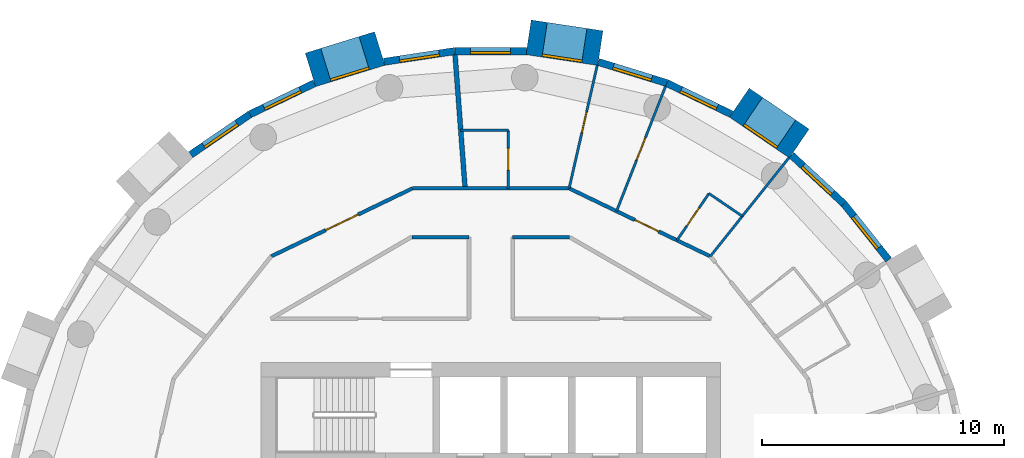
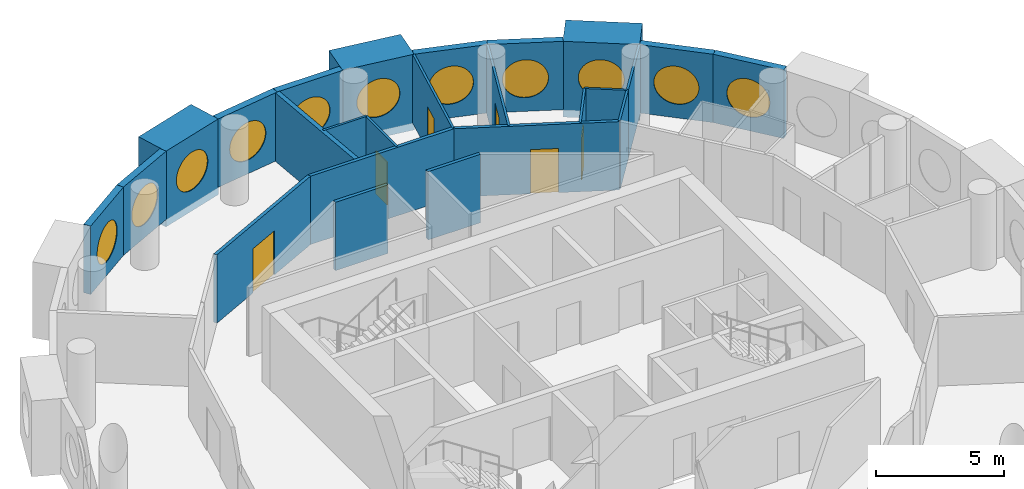
# One storey, part 11 of 13: 25 walls, 11 windows, 6 doors, 17 openings.
"""IFC4 building model written with IfcOpenShell, lengths in metres."""

from ifc_helpers import new_model, si_unit, direction, frame, frame_2d, origin, origin_2d, place, context, subcontext, project, spatial, rectangle, circle, extrude, material, layer, layer_set, type_object, element, fill, save


model = new_model("IFC4")

# Units and contexts
model_context = context("Model", 3, precision=1e-05, world=origin(), true_north=direction((0.0, 1.0)))
body_context = subcontext(model_context, "Body", "Model", "MODEL_VIEW")
ifc_project = project(units=[si_unit("LENGTHUNIT", "METRE"), si_unit("AREAUNIT", "SQUARE_METRE"), si_unit("VOLUMEUNIT", "CUBIC_METRE"), si_unit("PLANEANGLEUNIT", "RADIAN"), si_unit("MASSUNIT", "GRAM", prefix="KILO")], contexts=[model_context])

# Site, building, storey
site_placement = place(None, origin())
site = spatial("IfcSite", under=ifc_project, at=site_placement, CompositionType="ELEMENT")
building_placement = place(site_placement, origin())
building = spatial("IfcBuilding", under=site, at=building_placement, Name="Tracery Tower", CompositionType="ELEMENT")
storey_placement = place(building_placement, frame((0.0, 0.0, 259.800048828125)))
storey = spatial("IfcBuildingStorey", under=building, at=storey_placement, Name="L67", CompositionType="ELEMENT", Elevation=259.800048828125)

# Wall, opening, window
ifc_material_1 = material(Name="Precast concrete C50/60", Category="concrete")
ifc_layer_1 = layer(ifc_material_1, 1.449951171875)
ifc_layer_set_1 = layer_set([ifc_layer_1], Name="Deep-set bay unit 3000 x 3600, slab edge 350")
wall_type_1 = type_object("IfcWallType", Name="Deep-set bay unit 3000 x 3600, slab edge 350", PredefinedType="ELEMENTEDWALL", material=ifc_layer_set_1)
wall_1_placement = place(storey_placement, frame((12.754150390625, 16.044189453125, -0.35009765625), z_axis=(0.0, 0.0, 1.0), x_axis=(-0.826246281157, 0.563309047392, 0.0)))
wall_1 = element("IfcWall", 1, at=wall_1_placement, inside=storey, type_object=wall_type_1, Name="Deep-set bay unit 7 at L67", PredefinedType="ELEMENTEDWALL", context=body_context, shape_type="SweptSolid", body=[
    extrude(rectangle(XDim=3.0, YDim=1.449951171875, at=frame_2d((1.5, 0.0))), origin(), (0.0, 0.0, 1.0), 3.60009765625),
])
opening_1_placement = place(wall_1_placement, frame((1.5, 0.0, 1.89990234375)))
opening_1 = element("IfcOpeningElement", 2, at=opening_1_placement, cuts=wall_1, Name="Opening WN1", PredefinedType="OPENING", context=body_context, shape_type="SweptSolid", body=[
    extrude(circle(Radius=0.9000244140625, at=origin_2d()), frame((0.0, 0.73486328125, 0.0), z_axis=(0.0, -1.0, 0.0), x_axis=(1.0, 0.0, 0.0)), (0.0, 0.0, 1.0), 1.469970703125),
])
ifc_material_2 = material(Name="Aluminium frame with tinted double glazing", Category="aluminium")
window_type = type_object("IfcWindowType", Name="Round window 1800", PartitioningType="SINGLE_PANEL", PredefinedType="WINDOW", material=ifc_material_2)
window_1_placement = place(opening_1_placement, origin())
window_1 = element("IfcWindow", 3, at=window_1_placement, inside=storey, type_object=window_type, Name="Round window 7 at L67", OverallHeight=1.800048828125, OverallWidth=1.800048828125, PartitioningType="SINGLE_PANEL", PredefinedType="WINDOW", context=body_context, shape_type="SweptSolid", body=[
    extrude(circle(Radius=0.9000244140625, at=origin_2d()), frame((0.0, 0.69482421875, 0.0), z_axis=(0.0, -1.0, 0.0), x_axis=(1.0, 0.0, 0.0)), (0.0, 0.0, 1.0), 0.10009765625),
])
fill(opening_1, window_1)

wall_2_placement = place(storey_placement, frame((4.52978515625, 19.9892578125, -0.35009765625), z_axis=(0.0, 0.0, 1.0), x_axis=(-0.988836445254, 0.149004981587, 0.0)))
wall_2 = element("IfcWall", 4, at=wall_2_placement, inside=storey, type_object=wall_type_1, Name="Deep-set bay unit 10 at L67", PredefinedType="ELEMENTEDWALL", context=body_context, shape_type="SweptSolid", body=[
    extrude(rectangle(XDim=3.0, YDim=1.449951171875, at=frame_2d((1.5, 0.0))), origin(), (0.0, 0.0, 1.0), 3.60009765625),
])
opening_2_placement = place(wall_2_placement, frame((1.5, 0.0, 1.89990234375)))
opening_2 = element("IfcOpeningElement", 5, at=opening_2_placement, cuts=wall_2, Name="Opening WN1", PredefinedType="OPENING", context=body_context, shape_type="SweptSolid", body=[
    extrude(circle(Radius=0.9000244140625, at=origin_2d()), frame((0.0, 0.73486328125, 0.0), z_axis=(0.0, -1.0, 0.0), x_axis=(1.0, 0.0, 0.0)), (0.0, 0.0, 1.0), 1.469970703125),
])
window_2_placement = place(opening_2_placement, origin())
window_2 = element("IfcWindow", 6, at=window_2_placement, inside=storey, type_object=window_type, Name="Round window 10 at L67", OverallHeight=1.800048828125, OverallWidth=1.800048828125, PartitioningType="SINGLE_PANEL", PredefinedType="WINDOW", context=body_context, shape_type="SweptSolid", body=[
    extrude(circle(Radius=0.9000244140625, at=origin_2d()), frame((0.0, 0.69482421875, 0.0), z_axis=(0.0, -1.0, 0.0), x_axis=(1.0, 0.0, 0.0)), (0.0, 0.0, 1.0), 0.10009765625),
])
fill(opening_2, window_2)

wall_3_placement = place(storey_placement, frame((-4.591796875, 19.97509765625, -0.35009765625), z_axis=(0.0, 0.0, 1.0), x_axis=(-0.955571139978, -0.294760574774, 0.0)))
wall_3 = element("IfcWall", 7, at=wall_3_placement, inside=storey, type_object=wall_type_1, Name="Deep-set bay unit 13 at L67", PredefinedType="ELEMENTEDWALL", context=body_context, shape_type="SweptSolid", body=[
    extrude(rectangle(XDim=3.0, YDim=1.449951171875, at=frame_2d((1.5, 0.0))), origin(), (0.0, 0.0, 1.0), 3.60009765625),
])
opening_3_placement = place(wall_3_placement, frame((1.5, 0.0, 1.89990234375)))
opening_3 = element("IfcOpeningElement", 8, at=opening_3_placement, cuts=wall_3, Name="Opening WN1", PredefinedType="OPENING", context=body_context, shape_type="SweptSolid", body=[
    extrude(circle(Radius=0.9000244140625, at=origin_2d()), frame((0.0, 0.73486328125, 0.0), z_axis=(0.0, -1.0, 0.0), x_axis=(1.0, 0.0, 0.0)), (0.0, 0.0, 1.0), 1.469970703125),
])
window_3_placement = place(opening_3_placement, origin())
window_3 = element("IfcWindow", 9, at=window_3_placement, inside=storey, type_object=window_type, Name="Round window 13 at L67", OverallHeight=1.800048828125, OverallWidth=1.800048828125, PartitioningType="SINGLE_PANEL", PredefinedType="WINDOW", context=body_context, shape_type="SweptSolid", body=[
    extrude(circle(Radius=0.9000244140625, at=origin_2d()), frame((0.0, 0.69482421875, 0.0), z_axis=(0.0, -1.0, 0.0), x_axis=(1.0, 0.0, 0.0)), (0.0, 0.0, 1.0), 0.10009765625),
])
fill(opening_3, window_3)

ifc_material_3 = material(Name="Precast concrete C50/60", Category="concrete")
ifc_layer_2 = layer(ifc_material_3, 0.300048828125)
ifc_layer_set_2 = layer_set([ifc_layer_2], Name="Facade panel 3000 x 3250")
wall_type_2 = type_object("IfcWallType", Name="Facade panel 3000 x 3250", PredefinedType="SOLIDWALL", material=ifc_layer_set_2)
wall_4_placement = place(storey_placement, frame((16.45068359375, 11.234375, 0.0), z_axis=(0.0, 0.0, 1.0), x_axis=(-0.623498236992, 0.781824755599, 0.0)))
wall_4 = element("IfcWall", 10, at=wall_4_placement, inside=storey, type_object=wall_type_2, Name="Facade panel 5 at L67", PredefinedType="SOLIDWALL", context=body_context, shape_type="SweptSolid", body=[
    extrude(rectangle(XDim=2.962158203125, YDim=0.300048828125, at=frame_2d((1.48095703125, 0.0))), origin(), (0.0, 0.0, 1.0), 3.25),
])
opening_4_placement = place(wall_4_placement, frame((1.48095703125, 0.0, 1.5498046875)))
opening_4 = element("IfcOpeningElement", 11, at=opening_4_placement, cuts=wall_4, Name="Opening WN1", PredefinedType="OPENING", context=body_context, shape_type="SweptSolid", body=[
    extrude(circle(Radius=0.9000244140625, at=origin_2d()), frame((0.0, 0.159912109375, 0.0), z_axis=(0.0, -1.0, 0.0), x_axis=(1.0, 0.0, 0.0)), (0.0, 0.0, 1.0), 0.320068359375),
])
window_4_placement = place(opening_4_placement, origin())
window_4 = element("IfcWindow", 12, at=window_4_placement, inside=storey, type_object=window_type, Name="Round window 5 at L67", OverallHeight=1.800048828125, OverallWidth=1.800048828125, PartitioningType="SINGLE_PANEL", PredefinedType="WINDOW", context=body_context, shape_type="SweptSolid", body=[
    extrude(circle(Radius=0.9000244140625, at=origin_2d()), frame((0.0, 0.1201171875, 0.0), z_axis=(0.0, -1.0, 0.0), x_axis=(1.0, 0.0, 0.0)), (0.0, 0.0, 1.0), 0.10009765625),
])
fill(opening_4, window_4)

wall_5_placement = place(storey_placement, frame((14.603759765625, 13.55029296875, 0.0), z_axis=(0.0, 0.0, 1.0), x_axis=(-0.733066412643, 0.680157066165, 0.0)))
wall_5 = element("IfcWall", 13, at=wall_5_placement, inside=storey, type_object=wall_type_2, Name="Facade panel 6 at L67", PredefinedType="SOLIDWALL", context=body_context, shape_type="SweptSolid", body=[
    extrude(rectangle(XDim=2.96240234375, YDim=0.300048828125, at=frame_2d((1.481201171875, 0.0))), origin(), (0.0, 0.0, 1.0), 3.25),
])
opening_5_placement = place(wall_5_placement, frame((1.48095703125, 0.0, 1.5498046875)))
opening_5 = element("IfcOpeningElement", 14, at=opening_5_placement, cuts=wall_5, Name="Opening WN1", PredefinedType="OPENING", context=body_context, shape_type="SweptSolid", body=[
    extrude(circle(Radius=0.9000244140625, at=origin_2d()), frame((0.0, 0.159912109375, 0.0), z_axis=(0.0, -1.0, 0.0), x_axis=(1.0, 0.0, 0.0)), (0.0, 0.0, 1.0), 0.320068359375),
])
window_5_placement = place(opening_5_placement, origin())
window_5 = element("IfcWindow", 15, at=window_5_placement, inside=storey, type_object=window_type, Name="Round window 6 at L67", OverallHeight=1.800048828125, OverallWidth=1.800048828125, PartitioningType="SINGLE_PANEL", PredefinedType="WINDOW", context=body_context, shape_type="SweptSolid", body=[
    extrude(circle(Radius=0.9000244140625, at=origin_2d()), frame((0.0, 0.1201171875, 0.0), z_axis=(0.0, -1.0, 0.0), x_axis=(1.0, 0.0, 0.0)), (0.0, 0.0, 1.0), 0.10009765625),
])
fill(opening_5, window_5)

wall_6_placement = place(storey_placement, frame((9.947021484375, 17.25927734375, 0.0), z_axis=(0.0, 0.0, 1.0), x_axis=(-0.900939615635, 0.433944476838, 0.0)))
wall_6 = element("IfcWall", 16, at=wall_6_placement, inside=storey, type_object=wall_type_2, Name="Facade panel 8 at L67", PredefinedType="SOLIDWALL", context=body_context, shape_type="SweptSolid", body=[
    extrude(rectangle(XDim=2.962158203125, YDim=0.300048828125, at=frame_2d((1.48095703125, 0.0))), origin(), (0.0, 0.0, 1.0), 3.25),
])
opening_6_placement = place(wall_6_placement, frame((1.48095703125, 0.0, 1.5498046875)))
opening_6 = element("IfcOpeningElement", 17, at=opening_6_placement, cuts=wall_6, Name="Opening WN1", PredefinedType="OPENING", context=body_context, shape_type="SweptSolid", body=[
    extrude(circle(Radius=0.9000244140625, at=origin_2d()), frame((0.0, 0.159912109375, 0.0), z_axis=(0.0, -1.0, 0.0), x_axis=(1.0, 0.0, 0.0)), (0.0, 0.0, 1.0), 0.320068359375),
])
window_6_placement = place(opening_6_placement, origin())
window_6 = element("IfcWindow", 18, at=window_6_placement, inside=storey, type_object=window_type, Name="Round window 8 at L67", OverallHeight=1.800048828125, OverallWidth=1.800048828125, PartitioningType="SINGLE_PANEL", PredefinedType="WINDOW", context=body_context, shape_type="SweptSolid", body=[
    extrude(circle(Radius=0.9000244140625, at=origin_2d()), frame((0.0, 0.1201171875, 0.0), z_axis=(0.0, -1.0, 0.0), x_axis=(1.0, 0.0, 0.0)), (0.0, 0.0, 1.0), 0.10009765625),
])
fill(opening_6, window_6)

wall_7_placement = place(storey_placement, frame((7.2783203125, 18.544677734375, 0.0), z_axis=(0.0, 0.0, 1.0), x_axis=(-0.95558635705, 0.294711238707, 0.0)))
wall_7 = element("IfcWall", 19, at=wall_7_placement, inside=storey, type_object=wall_type_2, Name="Facade panel 9 at L67", PredefinedType="SOLIDWALL", context=body_context, shape_type="SweptSolid", body=[
    extrude(rectangle(XDim=2.96240234375, YDim=0.300048828125, at=frame_2d((1.481201171875, 0.0))), origin(), (0.0, 0.0, 1.0), 3.25),
])
opening_7_placement = place(wall_7_placement, frame((1.48095703125, 0.0, 1.5498046875)))
opening_7 = element("IfcOpeningElement", 20, at=opening_7_placement, cuts=wall_7, Name="Opening WN1", PredefinedType="OPENING", context=body_context, shape_type="SweptSolid", body=[
    extrude(circle(Radius=0.9000244140625, at=origin_2d()), frame((0.0, 0.159912109375, 0.0), z_axis=(0.0, -1.0, 0.0), x_axis=(1.0, 0.0, 0.0)), (0.0, 0.0, 1.0), 0.320068359375),
])
window_7_placement = place(opening_7_placement, origin())
window_7 = element("IfcWindow", 21, at=window_7_placement, inside=storey, type_object=window_type, Name="Round window 9 at L67", OverallHeight=1.800048828125, OverallWidth=1.800048828125, PartitioningType="SINGLE_PANEL", PredefinedType="WINDOW", context=body_context, shape_type="SweptSolid", body=[
    extrude(circle(Radius=0.9000244140625, at=origin_2d()), frame((0.0, 0.1201171875, 0.0), z_axis=(0.0, -1.0, 0.0), x_axis=(1.0, 0.0, 0.0)), (0.0, 0.0, 1.0), 0.10009765625),
])
fill(opening_7, window_7)

wall_8_placement = place(storey_placement, frame((1.473388671875, 19.865966796875, 0.0), z_axis=(0.0, 0.0, 1.0), x_axis=(-1.0, 0.0, 0.0)))
wall_8 = element("IfcWall", 22, at=wall_8_placement, inside=storey, type_object=wall_type_2, Name="Facade panel 11 at L67", PredefinedType="SOLIDWALL", context=body_context, shape_type="SweptSolid", body=[
    extrude(rectangle(XDim=2.962158203125, YDim=0.300048828125, at=frame_2d((1.48095703125, 0.0))), origin(), (0.0, 0.0, 1.0), 3.25),
])
opening_8_placement = place(wall_8_placement, frame((1.48095703125, 0.0, 1.5498046875)))
opening_8 = element("IfcOpeningElement", 23, at=opening_8_placement, cuts=wall_8, Name="Opening WN1", PredefinedType="OPENING", context=body_context, shape_type="SweptSolid", body=[
    extrude(circle(Radius=0.9000244140625, at=origin_2d()), frame((0.0, 0.159912109375, 0.0), z_axis=(0.0, -1.0, 0.0), x_axis=(1.0, 0.0, 0.0)), (0.0, 0.0, 1.0), 0.320068359375),
])
window_8_placement = place(opening_8_placement, origin())
window_8 = element("IfcWindow", 24, at=window_8_placement, inside=storey, type_object=window_type, Name="Round window 11 at L67", OverallHeight=1.800048828125, OverallWidth=1.800048828125, PartitioningType="SINGLE_PANEL", PredefinedType="WINDOW", context=body_context, shape_type="SweptSolid", body=[
    extrude(circle(Radius=0.9000244140625, at=origin_2d()), frame((0.0, 0.1201171875, 0.0), z_axis=(0.0, -1.0, 0.0), x_axis=(1.0, 0.0, 0.0)), (0.0, 0.0, 1.0), 0.10009765625),
])
fill(opening_8, window_8)

wall_9_placement = place(storey_placement, frame((-1.48876953125, 19.865966796875, 0.0), z_axis=(0.0, 0.0, 1.0), x_axis=(-0.988835775663, -0.149009425104, 0.0)))
wall_9 = element("IfcWall", 25, at=wall_9_placement, inside=storey, type_object=wall_type_2, Name="Facade panel 12 at L67", PredefinedType="SOLIDWALL", context=body_context, shape_type="SweptSolid", body=[
    extrude(rectangle(XDim=2.962158203125, YDim=0.300048828125, at=frame_2d((1.48095703125, 0.0))), origin(), (0.0, 0.0, 1.0), 3.25),
])
opening_9_placement = place(wall_9_placement, frame((1.48095703125, 0.0, 1.5498046875)))
opening_9 = element("IfcOpeningElement", 26, at=opening_9_placement, cuts=wall_9, Name="Opening WN1", PredefinedType="OPENING", context=body_context, shape_type="SweptSolid", body=[
    extrude(circle(Radius=0.9000244140625, at=origin_2d()), frame((0.0, 0.159912109375, 0.0), z_axis=(0.0, -1.0, 0.0), x_axis=(1.0, 0.0, 0.0)), (0.0, 0.0, 1.0), 0.320068359375),
])
window_9_placement = place(opening_9_placement, origin())
window_9 = element("IfcWindow", 27, at=window_9_placement, inside=storey, type_object=window_type, Name="Round window 12 at L67", OverallHeight=1.800048828125, OverallWidth=1.800048828125, PartitioningType="SINGLE_PANEL", PredefinedType="WINDOW", context=body_context, shape_type="SweptSolid", body=[
    extrude(circle(Radius=0.9000244140625, at=origin_2d()), frame((0.0, 0.1201171875, 0.0), z_axis=(0.0, -1.0, 0.0), x_axis=(1.0, 0.0, 0.0)), (0.0, 0.0, 1.0), 0.10009765625),
])
fill(opening_9, window_9)

wall_10_placement = place(storey_placement, frame((-7.2919921875, 18.5380859375, 0.0), z_axis=(0.0, 0.0, 1.0), x_axis=(-0.90095513435, -0.433912255978, 0.0)))
wall_10 = element("IfcWall", 28, at=wall_10_placement, inside=storey, type_object=wall_type_2, Name="Facade panel 14 at L67", PredefinedType="SOLIDWALL", context=body_context, shape_type="SweptSolid", body=[
    extrude(rectangle(XDim=2.96240234375, YDim=0.300048828125, at=frame_2d((1.481201171875, 0.0))), origin(), (0.0, 0.0, 1.0), 3.25),
])
opening_10_placement = place(wall_10_placement, frame((1.48095703125, 0.0, 1.5498046875)))
opening_10 = element("IfcOpeningElement", 29, at=opening_10_placement, cuts=wall_10, Name="Opening WN1", PredefinedType="OPENING", context=body_context, shape_type="SweptSolid", body=[
    extrude(circle(Radius=0.9000244140625, at=origin_2d()), frame((0.0, 0.159912109375, 0.0), z_axis=(0.0, -1.0, 0.0), x_axis=(1.0, 0.0, 0.0)), (0.0, 0.0, 1.0), 0.320068359375),
])
window_10_placement = place(opening_10_placement, origin())
window_10 = element("IfcWindow", 30, at=window_10_placement, inside=storey, type_object=window_type, Name="Round window 14 at L67", OverallHeight=1.800048828125, OverallWidth=1.800048828125, PartitioningType="SINGLE_PANEL", PredefinedType="WINDOW", context=body_context, shape_type="SweptSolid", body=[
    extrude(circle(Radius=0.9000244140625, at=origin_2d()), frame((0.0, 0.1201171875, 0.0), z_axis=(0.0, -1.0, 0.0), x_axis=(1.0, 0.0, 0.0)), (0.0, 0.0, 1.0), 0.10009765625),
])
fill(opening_10, window_10)

wall_11_placement = place(storey_placement, frame((-9.9609375, 17.252685546875, 0.0), z_axis=(0.0, 0.0, 1.0), x_axis=(-0.826236061068, -0.563324037646, 0.0)))
wall_11 = element("IfcWall", 31, at=wall_11_placement, inside=storey, type_object=wall_type_2, Name="Facade panel 15 at L67", PredefinedType="SOLIDWALL", context=body_context, shape_type="SweptSolid", body=[
    extrude(rectangle(XDim=2.962158203125, YDim=0.300048828125, at=frame_2d((1.48095703125, 0.0))), origin(), (0.0, 0.0, 1.0), 3.25),
])
opening_11_placement = place(wall_11_placement, frame((1.48095703125, 0.0, 1.5498046875)))
opening_11 = element("IfcOpeningElement", 32, at=opening_11_placement, cuts=wall_11, Name="Opening WN1", PredefinedType="OPENING", context=body_context, shape_type="SweptSolid", body=[
    extrude(circle(Radius=0.9000244140625, at=origin_2d()), frame((0.0, 0.159912109375, 0.0), z_axis=(0.0, -1.0, 0.0), x_axis=(1.0, 0.0, 0.0)), (0.0, 0.0, 1.0), 0.320068359375),
])
window_11_placement = place(opening_11_placement, origin())
window_11 = element("IfcWindow", 33, at=window_11_placement, inside=storey, type_object=window_type, Name="Round window 15 at L67", OverallHeight=1.800048828125, OverallWidth=1.800048828125, PartitioningType="SINGLE_PANEL", PredefinedType="WINDOW", context=body_context, shape_type="SweptSolid", body=[
    extrude(circle(Radius=0.9000244140625, at=origin_2d()), frame((0.0, 0.1201171875, 0.0), z_axis=(0.0, -1.0, 0.0), x_axis=(1.0, 0.0, 0.0)), (0.0, 0.0, 1.0), 0.10009765625),
])
fill(opening_11, window_11)

# Wall, opening, door
ifc_material_4 = material(Name="Plasterboard on steel studs", Category="steel")
ifc_layer_3 = layer(ifc_material_4, 0.10009765625)
ifc_layer_set_3 = layer_set([ifc_layer_3], Name="Partition 100 stud")
wall_type_3 = type_object("IfcWallType", Name="Partition 100 stud", PredefinedType="PARTITIONING", material=ifc_layer_set_3)
wall_12_placement = place(storey_placement, frame((5.198974609375, 13.248046875, 0.0), z_axis=(0.0, 0.0, 1.0), x_axis=(0.365334662456, 0.930876245485, 0.0)))
wall_12 = element("IfcWall", 34, at=wall_12_placement, inside=storey, type_object=wall_type_3, Name="Stud partition RC3-057", PredefinedType="PARTITIONING", context=body_context, shape_type="SweptSolid", body=[
    extrude(rectangle(XDim=5.5400390625, YDim=0.10009765625, at=frame_2d((2.77001953125, 0.0))), origin(), (0.0, 0.0, 1.0), 3.25),
])
opening_12_placement = place(wall_12_placement, frame((2.27001953125, 0.0, 0.0)))
opening_12 = element("IfcOpeningElement", 35, at=opening_12_placement, cuts=wall_12, Name="Opening RC3-10", PredefinedType="OPENING", context=body_context, shape_type="SweptSolid", body=[
    extrude(rectangle(XDim=1.0, YDim=2.0400390625, at=frame_2d((0.5, 1.02001953125))), frame((0.0, 0.050048828125, 0.0), z_axis=(0.0, -1.0, 0.0), x_axis=(1.0, 0.0, 0.0)), (0.0, 0.0, 1.0), 0.10009765625),
])
ifc_material_5 = material(Name="Timber door leaf", Category="wood")
door_type_1 = type_object("IfcDoorType", Name="Door communal room 1000", OperationType="NOTDEFINED", PredefinedType="DOOR", material=ifc_material_5)
door_1_placement = place(opening_12_placement, origin())
door_1 = element("IfcDoor", 36, at=door_1_placement, inside=storey, type_object=door_type_1, Name="Communal room door RC3-10", OperationType="SINGLE_SWING_RIGHT", OverallHeight=2.0400390625, OverallWidth=1.0, PredefinedType="DOOR", context=body_context, shape_type="SweptSolid", body=[
    extrude(rectangle(XDim=1.0, YDim=2.0400390625, at=frame_2d((0.5, 1.02001953125))), frame((0.0, 0.02490234375, 0.0), z_axis=(0.0, -1.0, 0.0), x_axis=(1.0, 0.0, 0.0)), (0.0, 0.0, 1.0), 0.050048828125),
])
fill(opening_12, door_1)

# Wall
wall_13_placement = place(storey_placement, frame((10.39892578125, 13.0400390625, 0.0), z_axis=(0.0, 0.0, 1.0), x_axis=(0.62343302941, 0.781876753613, 0.0)))
element("IfcWall", 37, at=wall_13_placement, inside=storey, type_object=wall_type_3, Name="Stud partition RC3-060", PredefinedType="PARTITIONING", context=body_context, shape_type="SweptSolid", body=[
    extrude(rectangle(XDim=3.092529296875, YDim=0.10009765625, at=frame_2d((1.54638671875, 0.0))), origin(), (0.0, 0.0, 1.0), 3.25),
])

# Wall, opening, door
wall_14_placement = place(storey_placement, frame((3.239013671875, 14.19189453125, 0.0), z_axis=(0.0, 0.0, 1.0), x_axis=(0.222612505682, 0.974907007008, 0.0)))
wall_14 = element("IfcWall", 38, at=wall_14_placement, inside=storey, type_object=wall_type_3, Name="Stud partition RC3-061", PredefinedType="PARTITIONING", context=body_context, shape_type="SweptSolid", body=[
    extrude(rectangle(XDim=5.21484375, YDim=0.10009765625, at=frame_2d((2.607421875, 0.0))), origin(), (0.0, 0.0, 1.0), 3.25),
])
opening_13_placement = place(wall_14_placement, frame((2.35302734375, 0.0, 0.0)))
opening_13 = element("IfcOpeningElement", 39, at=opening_13_placement, cuts=wall_14, Name="Opening RC3-14", PredefinedType="OPENING", context=body_context, shape_type="SweptSolid", body=[
    extrude(rectangle(XDim=0.89990234375, YDim=2.10009765625, at=frame_2d((0.449951171875, 1.050048828125))), frame((0.0, 0.050048828125, 0.0), z_axis=(0.0, -1.0, 0.0), x_axis=(1.0, 0.0, 0.0)), (0.0, 0.0, 1.0), 0.10009765625),
])
ifc_material_6 = material(Name="Timber door leaf", Category="wood")
door_type_2 = type_object("IfcDoorType", Name="Door bedroom 900", OperationType="NOTDEFINED", PredefinedType="DOOR", material=ifc_material_6)
door_2_placement = place(opening_13_placement, origin())
door_2 = element("IfcDoor", 40, at=door_2_placement, inside=storey, type_object=door_type_2, Name="Bedroom door RC3-14", OperationType="SINGLE_SWING_RIGHT", OverallHeight=2.10009765625, OverallWidth=0.89990234375, PredefinedType="DOOR", context=body_context, shape_type="SweptSolid", body=[
    extrude(rectangle(XDim=0.89990234375, YDim=2.10009765625, at=frame_2d((0.449951171875, 1.050048828125))), frame((0.0, 0.02490234375, 0.0), z_axis=(0.0, -1.0, 0.0), x_axis=(1.0, 0.0, 0.0)), (0.0, 0.0, 1.0), 0.050048828125),
])
fill(opening_13, door_2)

# Wall
ifc_material_7 = material(Name="Plasterboard on steel studs", Category="steel")
ifc_layer_4 = layer(ifc_material_7, 0.10009765625)
ifc_layer_set_4 = layer_set([ifc_layer_4], Name="Partition 100 wet wall")
wall_type_4 = type_object("IfcWallType", Name="Partition 100 wet wall", PredefinedType="PARTITIONING", material=ifc_layer_set_4)
wall_15_placement = place(storey_placement, frame((9.02001953125, 13.97998046875, 0.0), z_axis=(0.0, 0.0, 1.0), x_axis=(0.826289240924, -0.563246030021, 0.0)))
element("IfcWall", 41, at=wall_15_placement, inside=storey, type_object=wall_type_4, Name="Wet wall RC3-058", PredefinedType="PARTITIONING", context=body_context, shape_type="SweptSolid", body=[
    extrude(rectangle(XDim=1.668701171875, YDim=0.10009765625, at=frame_2d((0.83447265625, 0.0))), origin(), (0.0, 0.0, 1.0), 3.25),
])

# Wall, opening, door
wall_16_placement = place(storey_placement, frame((7.699951171875, 12.0439453125, 0.0), z_axis=(0.0, 0.0, 1.0), x_axis=(0.563349756349, 0.826218525586, 0.0)))
wall_16 = element("IfcWall", 42, at=wall_16_placement, inside=storey, type_object=wall_type_4, Name="Wet wall RC3-059", PredefinedType="PARTITIONING", context=body_context, shape_type="SweptSolid", body=[
    extrude(rectangle(XDim=2.34326171875, YDim=0.10009765625, at=frame_2d((1.171630859375, 0.0))), origin(), (0.0, 0.0, 1.0), 3.25),
])
opening_14_placement = place(wall_16_placement, frame((0.72119140625, 0.0, 0.0)))
opening_14 = element("IfcOpeningElement", 43, at=opening_14_placement, cuts=wall_16, Name="Opening RC3-11", PredefinedType="OPENING", context=body_context, shape_type="SweptSolid", body=[
    extrude(rectangle(XDim=0.89990234375, YDim=2.0, at=frame_2d((0.449951171875, 1.0))), frame((0.0, 0.050048828125, 0.0), z_axis=(0.0, -1.0, 0.0), x_axis=(1.0, 0.0, 0.0)), (0.0, 0.0, 1.0), 0.10009765625),
])
ifc_material_8 = material(Name="Timber door leaf", Category="wood")
door_type_3 = type_object("IfcDoorType", Name="Door shower room 900", OperationType="NOTDEFINED", PredefinedType="DOOR", material=ifc_material_8)
door_3_placement = place(opening_14_placement, origin())
door_3 = element("IfcDoor", 44, at=door_3_placement, inside=storey, type_object=door_type_3, Name="Shower room door RC3-11", OperationType="SINGLE_SWING_RIGHT", OverallHeight=2.0, OverallWidth=0.89990234375, PredefinedType="DOOR", context=body_context, shape_type="SweptSolid", body=[
    extrude(rectangle(XDim=0.89990234375, YDim=2.0, at=frame_2d((0.449951171875, 1.0))), frame((0.0, 0.02490234375, 0.0), z_axis=(0.0, -1.0, 0.0), x_axis=(1.0, 0.0, 0.0)), (0.0, 0.0, 1.0), 0.050048828125),
])
fill(opening_14, door_3)

# Wall
wall_17_placement = place(storey_placement, frame((9.075927734375, 11.381103515625, 0.0), z_axis=(0.0, 0.0, 1.0), x_axis=(0.623501640025, 0.781822041699, 0.0)))
element("IfcWall", 45, at=wall_17_placement, inside=storey, type_object=wall_type_4, Name="Wet wall RC3-062", PredefinedType="PARTITIONING", context=body_context, shape_type="SweptSolid", body=[
    extrude(rectangle(XDim=2.121826171875, YDim=0.10009765625, at=frame_2d((1.06103515625, 0.0))), origin(), (0.0, 0.0, 1.0), 3.25),
])

# Wall, opening, door
wall_18_placement = place(storey_placement, frame((0.721923828125, 14.19189453125, 0.0), z_axis=(0.0, 0.0, 1.0), x_axis=(0.0, 1.0, 0.0)))
wall_18 = element("IfcWall", 46, at=wall_18_placement, inside=storey, type_object=wall_type_4, Name="Wet wall RC3-065", PredefinedType="PARTITIONING", context=body_context, shape_type="SweptSolid", body=[
    extrude(rectangle(XDim=2.400146484375, YDim=0.10009765625, at=frame_2d((1.2001953125, 0.0))), origin(), (0.0, 0.0, 1.0), 3.25),
])
opening_15_placement = place(wall_18_placement, frame((0.75, 0.0, 0.0)))
opening_15 = element("IfcOpeningElement", 47, at=opening_15_placement, cuts=wall_18, Name="Opening RC3-15", PredefinedType="OPENING", context=body_context, shape_type="SweptSolid", body=[
    extrude(rectangle(XDim=0.89990234375, YDim=2.0400390625, at=frame_2d((0.449951171875, 1.02001953125))), frame((0.0, 0.050048828125, 0.0), z_axis=(0.0, -1.0, 0.0), x_axis=(1.0, 0.0, 0.0)), (0.0, 0.0, 1.0), 0.10009765625),
])
ifc_material_9 = material(Name="Timber door leaf", Category="wood")
door_type_4 = type_object("IfcDoorType", Name="Door en-suite 900", OperationType="NOTDEFINED", PredefinedType="DOOR", material=ifc_material_9)
door_4_placement = place(opening_15_placement, origin())
door_4 = element("IfcDoor", 48, at=door_4_placement, inside=storey, type_object=door_type_4, Name="En-suite door RC3-15", OperationType="SINGLE_SWING_RIGHT", OverallHeight=2.0400390625, OverallWidth=0.89990234375, PredefinedType="DOOR", context=body_context, shape_type="SweptSolid", body=[
    extrude(rectangle(XDim=0.89990234375, YDim=2.0400390625, at=frame_2d((0.449951171875, 1.02001953125))), frame((0.0, 0.02490234375, 0.0), z_axis=(0.0, -1.0, 0.0), x_axis=(1.0, 0.0, 0.0)), (0.0, 0.0, 1.0), 0.050048828125),
])
fill(opening_15, door_4)

# Walls
wall_19_placement = place(storey_placement, frame((-1.242919921875, 16.592041015625, 0.0), z_axis=(0.0, 0.0, 1.0), x_axis=(1.0, 0.0, 0.0)))
element("IfcWall", 49, at=wall_19_placement, inside=storey, type_object=wall_type_4, Name="Wet wall RC3-066", PredefinedType="PARTITIONING", context=body_context, shape_type="SweptSolid", body=[
    extrude(rectangle(XDim=1.96484375, YDim=0.10009765625, at=frame_2d((0.982421875, 0.0))), origin(), (0.0, 0.0, 1.0), 3.25),
])
ifc_material_10 = material(Name="Plasterboard on steel studs", Category="steel")
ifc_layer_5 = layer(ifc_material_10, 0.14990234375)
ifc_layer_set_5 = layer_set([ifc_layer_5], Name="Partition 150 corridor wall")
wall_type_5 = type_object("IfcWallType", Name="Partition 150 corridor wall", PredefinedType="PARTITIONING", material=ifc_layer_set_5)
for number, where, z_axis, x_axis, name in (
    (50, (-3.260986328125, 12.1708984375, 0.0), (0.0, 0.0, 1.0), (1.0, 0.0, 0.0), "Corridor wall RC3-027"),
    (51, (0.89990234375, 12.1708984375, 0.0), (0.0, 0.0, 1.0), (1.0, 0.0, 0.0), "Corridor wall RC3-029"),
):
    element("IfcWall", number, at=place(storey_placement, frame(where, z_axis=z_axis, x_axis=x_axis)), inside=storey, type_object=wall_type_5, Name=name, PredefinedType="PARTITIONING", context=body_context, shape_type="SweptSolid", body=[
        extrude(rectangle(XDim=2.361083984375, YDim=0.14990234375, at=frame_2d((1.1806640625, 0.0))), origin(), (0.0, 0.0, 1.0), 3.25),
    ])

# Wall, opening, door
wall_20_placement = place(storey_placement, frame((3.239013671875, 14.192138671875, 0.0), z_axis=(0.0, 0.0, 1.0), x_axis=(0.90093183072, -0.433960639224, 0.0)))
wall_20 = element("IfcWall", 52, at=wall_20_placement, inside=storey, type_object=wall_type_5, Name="Corridor wall RC3-031", PredefinedType="PARTITIONING", context=body_context, shape_type="SweptSolid", body=[
    extrude(rectangle(XDim=6.478759765625, YDim=0.14990234375, at=frame_2d((3.2392578125, 0.0))), origin(), (0.0, 0.0, 1.0), 3.25),
])
opening_16_placement = place(wall_20_placement, frame((3.012939453125, 0.0, 0.0)))
opening_16 = element("IfcOpeningElement", 53, at=opening_16_placement, cuts=wall_20, Name="Opening RC3-09", PredefinedType="OPENING", context=body_context, shape_type="SweptSolid", body=[
    extrude(rectangle(XDim=1.10009765625, YDim=2.10009765625, at=frame_2d((0.550048828125, 1.050048828125))), frame((0.0, 0.074951171875, 0.0), z_axis=(0.0, -1.0, 0.0), x_axis=(1.0, 0.0, 0.0)), (0.0, 0.0, 1.0), 0.14990234375),
])
ifc_material_11 = material(Name="Timber door leaf", Category="wood")
door_type_5 = type_object("IfcDoorType", Name="Door cluster entrance 1100", OperationType="NOTDEFINED", PredefinedType="DOOR", material=ifc_material_11)
door_5_placement = place(opening_16_placement, origin())
door_5 = element("IfcDoor", 54, at=door_5_placement, inside=storey, type_object=door_type_5, Name="Cluster entrance door RC3-09", OperationType="SINGLE_SWING_RIGHT", OverallHeight=2.10009765625, OverallWidth=1.10009765625, PredefinedType="DOOR", context=body_context, shape_type="SweptSolid", body=[
    extrude(rectangle(XDim=1.10009765625, YDim=2.10009765625, at=frame_2d((0.550048828125, 1.050048828125))), frame((0.0, 0.02490234375, 0.0), z_axis=(0.0, -1.0, 0.0), x_axis=(1.0, 0.0, 0.0)), (0.0, 0.0, 1.0), 0.050048828125),
])
fill(opening_16, door_5)

# Wall
wall_21_placement = place(storey_placement, frame((-3.239013671875, 14.19189453125, 0.0), z_axis=(0.0, 0.0, 1.0), x_axis=(1.0, 0.0, 0.0)))
element("IfcWall", 55, at=wall_21_placement, inside=storey, type_object=wall_type_5, Name="Corridor wall RC3-032", PredefinedType="PARTITIONING", context=body_context, shape_type="SweptSolid", body=[
    extrude(rectangle(XDim=6.47802734375, YDim=0.14990234375, at=frame_2d((3.239013671875, 0.0))), origin(), (0.0, 0.0, 1.0), 3.25),
])

# Wall, opening, door
wall_22_placement = place(storey_placement, frame((-9.075927734375, 11.381103515625, 0.0), z_axis=(0.0, 0.0, 1.0), x_axis=(0.900976027191, 0.433868872388, 0.0)))
wall_22 = element("IfcWall", 56, at=wall_22_placement, inside=storey, type_object=wall_type_5, Name="Corridor wall RC3-033", PredefinedType="PARTITIONING", context=body_context, shape_type="SweptSolid", body=[
    extrude(rectangle(XDim=6.478515625, YDim=0.14990234375, at=frame_2d((3.2392578125, 0.0))), origin(), (0.0, 0.0, 1.0), 3.25),
])
opening_17_placement = place(wall_22_placement, frame((2.489013671875, 0.0, 0.0)))
opening_17 = element("IfcOpeningElement", 57, at=opening_17_placement, cuts=wall_22, Name="Opening RC3-16", PredefinedType="OPENING", context=body_context, shape_type="SweptSolid", body=[
    extrude(rectangle(XDim=1.5, YDim=2.10009765625, at=frame_2d((0.75, 1.050048828125))), frame((0.0, 0.074951171875, 0.0), z_axis=(0.0, -1.0, 0.0), x_axis=(1.0, 0.0, 0.0)), (0.0, 0.0, 1.0), 0.14990234375),
])
ifc_material_12 = material(Name="Timber door leaf", Category="wood")
door_type_6 = type_object("IfcDoorType", Name="Door double kitchen 1500", OperationType="NOTDEFINED", PredefinedType="DOOR", material=ifc_material_12)
door_6_placement = place(opening_17_placement, origin())
door_6 = element("IfcDoor", 58, at=door_6_placement, inside=storey, type_object=door_type_6, Name="Double kitchen door RC3-16", OperationType="DOUBLE_DOOR_SINGLE_SWING", OverallHeight=2.10009765625, OverallWidth=1.5, PredefinedType="DOOR", context=body_context, shape_type="SweptSolid", body=[
    extrude(rectangle(XDim=1.5, YDim=2.10009765625, at=frame_2d((0.75, 1.050048828125))), frame((0.0, 0.02490234375, 0.0), z_axis=(0.0, -1.0, 0.0), x_axis=(1.0, 0.0, 0.0)), (0.0, 0.0, 1.0), 0.050048828125),
])
fill(opening_17, door_6)

# Wall
ifc_material_13 = material(Name="Plasterboard on steel studs", Category="steel")
ifc_layer_6 = layer(ifc_material_13, 0.199951171875)
ifc_layer_set_6 = layer_set([ifc_layer_6], Name="Partition 200 compartment wall")
wall_type_6 = type_object("IfcWallType", Name="Partition 200 compartment wall", PredefinedType="PARTITIONING", material=ifc_layer_set_6)
wall_23_placement = place(storey_placement, frame((-1.47802734375, 19.716064453125, 0.0), z_axis=(0.0, 0.0, 1.0), x_axis=(0.075011267216, -0.997182686267, 0.0)))
element("IfcWall", 59, at=wall_23_placement, inside=storey, type_object=wall_type_6, Name="Compartment wall RC3-067", PredefinedType="PARTITIONING", context=body_context, shape_type="SweptSolid", body=[
    extrude(rectangle(XDim=5.53955078125, YDim=0.199951171875, at=frame_2d((2.769775390625, 0.0))), origin(), (0.0, 0.0, 1.0), 3.25),
])

save(model, "model.ifc")
